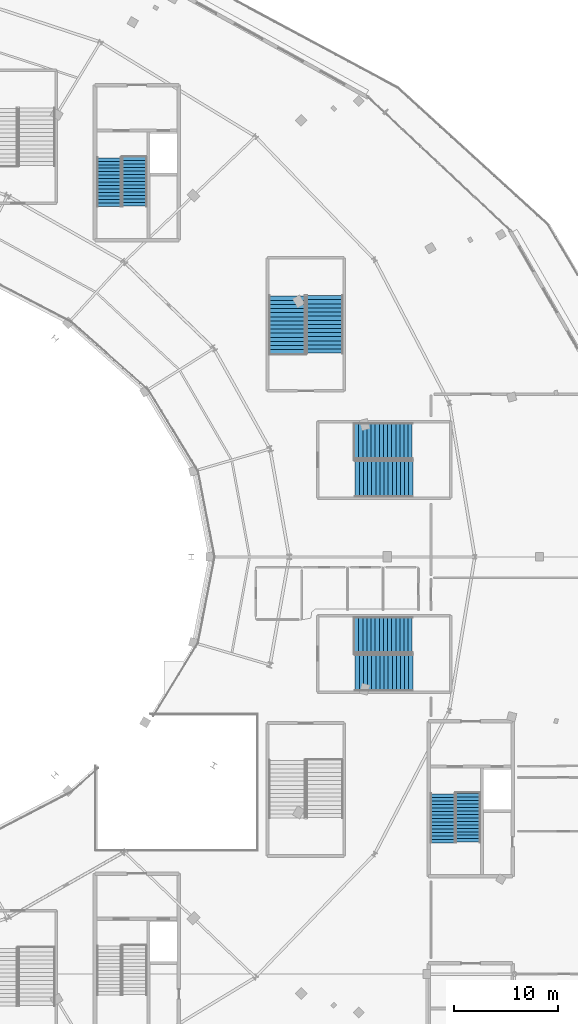
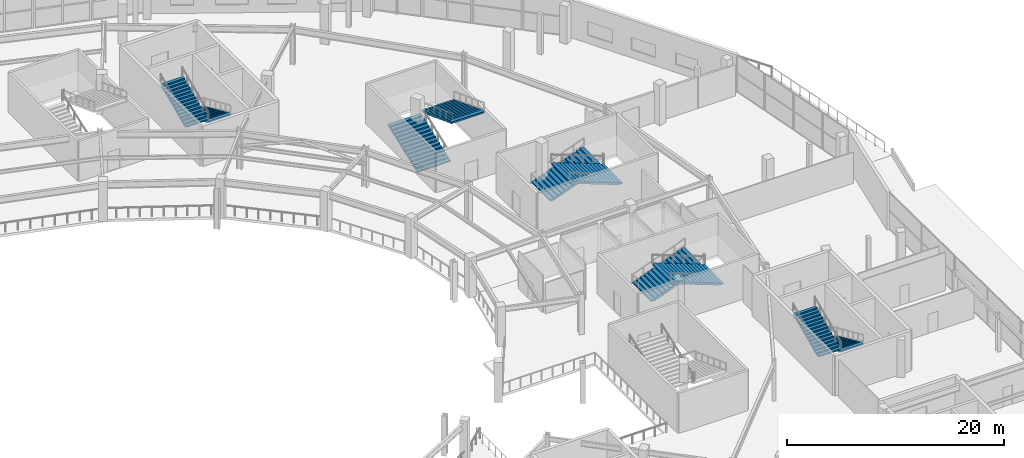
# One storey, part 85 of 107: 10 stair flights, 5 elements without a shape of their own.
"""IFC4 building model written with IfcOpenShell, lengths in metres."""

from ifc_helpers import new_model, si_unit, direction, frame, origin, place, context, subcontext, project, spatial, polyline, outline, extrude, material, type_object, element, aggregate, save


model = new_model("IFC4")

# Units and contexts
model_context = context("Model", 3, precision=1e-05, world=origin(), true_north=direction((0.0, 1.0)))
body_context = subcontext(model_context, "Body", "Model", "MODEL_VIEW")
ifc_project = project(units=[si_unit("LENGTHUNIT", "METRE"), si_unit("AREAUNIT", "SQUARE_METRE"), si_unit("VOLUMEUNIT", "CUBIC_METRE"), si_unit("PLANEANGLEUNIT", "RADIAN"), si_unit("MASSUNIT", "GRAM", prefix="KILO")], contexts=[model_context])

# Site, building, storey
site_placement = place(None, origin())
site = spatial("IfcSite", under=ifc_project, at=site_placement, CompositionType="ELEMENT")
building_placement = place(site_placement, origin())
building = spatial("IfcBuilding", under=site, at=building_placement, Name="Kalgoora Escarpment Arena", CompositionType="ELEMENT")
storey_placement = place(building_placement, frame((0.0, 0.0, 5.39990234375)))
storey = spatial("IfcBuildingStorey", under=building, at=storey_placement, Name="L01", CompositionType="ELEMENT", Elevation=5.39990234375)

# Stair, stair flights
ifc_material_1 = material(Name="Concrete N40 (fc' 40 MPa)", Category="concrete")
stair_type_1 = type_object("IfcStairType", Name="STR-EXIT-3", PredefinedType="HALF_TURN_STAIR", material=ifc_material_1)
stair_1_placement = place(storey_placement, origin())
stair_1 = element("IfcStair", 1, at=stair_1_placement, inside=storey, type_object=stair_type_1, Name="Fire-isolated exit stair ST07 (L01)", PredefinedType="HALF_TURN_STAIR")
ifc_material_2 = material(Name="Concrete N40 (fc' 40 MPa)", Category="concrete")
stair_flight_type_1 = type_object("IfcStairFlightType", Name="FLT-EXIT-3", PredefinedType="STRAIGHT", material=ifc_material_2)
stair_flight_1_placement = place(storey_placement, frame((163.554931640625, 41.330078125, 0.0), z_axis=(0.0, 0.0, 1.0), x_axis=(0.0, -1.0, 0.0)))
stair_flight_1 = element("IfcStairFlight", 2, at=stair_flight_1_placement, type_object=stair_flight_type_1, Name="ST07 L01 lower flight", NumberOfRisers=15, NumberOfTreads=14, PredefinedType="STRAIGHT", RiserHeight=0.15, TreadLength=0.335, context=body_context, shape_type="SweptSolid", body=[
    extrude(outline(polyline([(0.0, 0.0), (0.0, 0.14990234375), (0.3349609375, 0.14990234375), (0.3349609375, 0.300048828125), (0.669921875, 0.300048828125), (0.669921875, 0.449951171875), (1.0048828125, 0.449951171875), (1.0048828125, 0.60009765625), (1.340087890625, 0.60009765625), (1.340087890625, 0.75), (1.675048828125, 0.75), (1.675048828125, 0.89990234375), (2.010009765625, 0.89990234375), (2.010009765625, 1.050048828125), (2.344970703125, 1.050048828125), (2.344970703125, 1.199951171875), (2.679931640625, 1.199951171875), (2.679931640625, 1.35009765625), (3.014892578125, 1.35009765625), (3.014892578125, 1.5), (3.35009765625, 1.5), (3.35009765625, 1.64990234375), (3.68505859375, 1.64990234375), (3.68505859375, 1.800048828125), (4.02001953125, 1.800048828125), (4.02001953125, 1.949951171875), (4.35498046875, 1.949951171875), (4.35498046875, 2.10009765625), (4.68994140625, 2.10009765625), (4.68994140625, 2.25), (4.68994140625, 1.913818359375), (0.415771484375, 0.0), (0.0, 0.0)])), frame((0.0, 1.19482421875, 0.0), z_axis=(0.0, -1.0, 0.0), x_axis=(1.0, 0.0, 0.0)), (0.0, 0.0, 1.0), 2.389892578125),
])
stair_flight_2_placement = place(storey_placement, frame((161.14501953125, 36.580078125, 2.25), z_axis=(0.0, 0.0, 1.0), x_axis=(0.0, 1.0, 0.0)))
stair_flight_2 = element("IfcStairFlight", 3, at=stair_flight_2_placement, type_object=stair_flight_type_1, Name="ST07 L01 upper flight", NumberOfRisers=15, NumberOfTreads=14, PredefinedType="STRAIGHT", RiserHeight=0.15, TreadLength=0.335, context=body_context, shape_type="SweptSolid", body=[
    extrude(outline(polyline([(0.0, 0.0), (0.0, 0.14990234375), (0.3349609375, 0.14990234375), (0.3349609375, 0.300048828125), (0.669921875, 0.300048828125), (0.669921875, 0.449951171875), (1.0048828125, 0.449951171875), (1.0048828125, 0.60009765625), (1.340087890625, 0.60009765625), (1.340087890625, 0.75), (1.675048828125, 0.75), (1.675048828125, 0.89990234375), (2.010009765625, 0.89990234375), (2.010009765625, 1.050048828125), (2.344970703125, 1.050048828125), (2.344970703125, 1.199951171875), (2.679931640625, 1.199951171875), (2.679931640625, 1.35009765625), (3.014892578125, 1.35009765625), (3.014892578125, 1.5), (3.35009765625, 1.5), (3.35009765625, 1.64990234375), (3.68505859375, 1.64990234375), (3.68505859375, 1.800048828125), (4.02001953125, 1.800048828125), (4.02001953125, 1.949951171875), (4.35498046875, 1.949951171875), (4.35498046875, 2.10009765625), (4.68994140625, 2.10009765625), (4.68994140625, 2.25), (4.68994140625, 1.913818359375), (0.415771484375, 0.0), (0.0, 0.0)])), frame((0.0, 1.19482421875, 0.0), z_axis=(0.0, -1.0, 0.0), x_axis=(1.0, 0.0, 0.0)), (0.0, 0.0, 1.0), 2.389892578125),
])
aggregate(stair_1, [stair_flight_1, stair_flight_2])

ifc_material_3 = material(Name="Concrete N40 (fc' 40 MPa)", Category="concrete")
stair_type_2 = type_object("IfcStairType", Name="STR-EXIT-4", PredefinedType="HALF_TURN_STAIR", material=ifc_material_3)
stair_2_placement = place(storey_placement, origin())
stair_2 = element("IfcStair", 4, at=stair_2_placement, inside=storey, type_object=stair_type_2, Name="Fire-isolated exit stair ST04 (L01)", PredefinedType="HALF_TURN_STAIR")
ifc_material_4 = material(Name="Concrete N40 (fc' 40 MPa)", Category="concrete")
stair_flight_type_2 = type_object("IfcStairFlightType", Name="FLT-EXIT-4", PredefinedType="STRAIGHT", material=ifc_material_4)
stair_flight_3_placement = place(storey_placement, frame((131.552490234375, 102.330078125, 0.0), z_axis=(0.0, 0.0, 1.0), x_axis=(0.0, -1.0, 0.0)))
stair_flight_3 = element("IfcStairFlight", 5, at=stair_flight_3_placement, type_object=stair_flight_type_2, Name="ST04 L01 lower flight", NumberOfRisers=15, NumberOfTreads=14, PredefinedType="STRAIGHT", RiserHeight=0.15, TreadLength=0.335, context=body_context, shape_type="SweptSolid", body=[
    extrude(outline(polyline([(0.0, 0.0), (0.0, 0.14990234375), (0.3349609375, 0.14990234375), (0.3349609375, 0.300048828125), (0.669921875, 0.300048828125), (0.669921875, 0.449951171875), (1.0048828125, 0.449951171875), (1.0048828125, 0.60009765625), (1.340087890625, 0.60009765625), (1.340087890625, 0.75), (1.675048828125, 0.75), (1.675048828125, 0.89990234375), (2.010009765625, 0.89990234375), (2.010009765625, 1.050048828125), (2.344970703125, 1.050048828125), (2.344970703125, 1.199951171875), (2.679931640625, 1.199951171875), (2.679931640625, 1.35009765625), (3.014892578125, 1.35009765625), (3.014892578125, 1.5), (3.35009765625, 1.5), (3.35009765625, 1.64990234375), (3.68505859375, 1.64990234375), (3.68505859375, 1.800048828125), (4.02001953125, 1.800048828125), (4.02001953125, 1.949951171875), (4.35498046875, 1.949951171875), (4.35498046875, 2.10009765625), (4.68994140625, 2.10009765625), (4.68994140625, 2.25), (4.68994140625, 1.913818359375), (0.415771484375, 0.0), (0.0, 0.0)])), frame((0.0, 1.197509765625, 0.0), z_axis=(0.0, -1.0, 0.0), x_axis=(1.0, 0.0, 0.0)), (0.0, 0.0, 1.0), 2.39501953125),
])
stair_flight_4_placement = place(storey_placement, frame((129.1474609375, 97.580078125, 2.25), z_axis=(0.0, 0.0, 1.0), x_axis=(0.0, 1.0, 0.0)))
stair_flight_4 = element("IfcStairFlight", 6, at=stair_flight_4_placement, type_object=stair_flight_type_2, Name="ST04 L01 upper flight", NumberOfRisers=15, NumberOfTreads=14, PredefinedType="STRAIGHT", RiserHeight=0.15, TreadLength=0.335, context=body_context, shape_type="SweptSolid", body=[
    extrude(outline(polyline([(0.0, 0.0), (0.0, 0.14990234375), (0.3349609375, 0.14990234375), (0.3349609375, 0.300048828125), (0.669921875, 0.300048828125), (0.669921875, 0.449951171875), (1.0048828125, 0.449951171875), (1.0048828125, 0.60009765625), (1.340087890625, 0.60009765625), (1.340087890625, 0.75), (1.675048828125, 0.75), (1.675048828125, 0.89990234375), (2.010009765625, 0.89990234375), (2.010009765625, 1.050048828125), (2.344970703125, 1.050048828125), (2.344970703125, 1.199951171875), (2.679931640625, 1.199951171875), (2.679931640625, 1.35009765625), (3.014892578125, 1.35009765625), (3.014892578125, 1.5), (3.35009765625, 1.5), (3.35009765625, 1.64990234375), (3.68505859375, 1.64990234375), (3.68505859375, 1.800048828125), (4.02001953125, 1.800048828125), (4.02001953125, 1.949951171875), (4.35498046875, 1.949951171875), (4.35498046875, 2.10009765625), (4.68994140625, 2.10009765625), (4.68994140625, 2.25), (4.68994140625, 1.913818359375), (0.415771484375, 0.0), (0.0, 0.0)])), frame((0.0, 1.197509765625, 0.0), z_axis=(0.0, -1.0, 0.0), x_axis=(1.0, 0.0, 0.0)), (0.0, 0.0, 1.0), 2.39501953125),
])
aggregate(stair_2, [stair_flight_3, stair_flight_4])

ifc_material_5 = material(Name="Precast concrete N50 (fc' 50 MPa)", Category="concrete")
stair_type_3 = type_object("IfcStairType", Name="STR-STAD-1", PredefinedType="HALF_TURN_STAIR", material=ifc_material_5)
stair_3_placement = place(storey_placement, origin())
stair_3 = element("IfcStair", 7, at=stair_3_placement, inside=storey, type_object=stair_type_3, Name="Fire-isolated exit stair ST21 (L01)", PredefinedType="HALF_TURN_STAIR")
ifc_material_6 = material(Name="Precast concrete N50 (fc' 50 MPa)", Category="concrete")
stair_flight_type_3 = type_object("IfcStairFlightType", Name="FLT-STAD-1", PredefinedType="STRAIGHT", material=ifc_material_6)
stair_flight_5_placement = place(storey_placement, frame((152.669921875, 75.107421875, 0.0), z_axis=(0.0, 0.0, 1.0), x_axis=(1.0, 0.0, 0.0)))
stair_flight_5 = element("IfcStairFlight", 8, at=stair_flight_5_placement, type_object=stair_flight_type_3, Name="ST21 L01 lower flight", NumberOfRisers=15, NumberOfTreads=14, PredefinedType="STRAIGHT", RiserHeight=0.15, TreadLength=0.395, context=body_context, shape_type="SweptSolid", body=[
    extrude(outline(polyline([(0.0, 0.0), (0.0, 0.14990234375), (0.39501953125, 0.14990234375), (0.39501953125, 0.300048828125), (0.7900390625, 0.300048828125), (0.7900390625, 0.449951171875), (1.18505859375, 0.449951171875), (1.18505859375, 0.60009765625), (1.580078125, 0.60009765625), (1.580078125, 0.75), (1.97509765625, 0.75), (1.97509765625, 0.89990234375), (2.3701171875, 0.89990234375), (2.3701171875, 1.050048828125), (2.764892578125, 1.050048828125), (2.764892578125, 1.199951171875), (3.159912109375, 1.199951171875), (3.159912109375, 1.35009765625), (3.554931640625, 1.35009765625), (3.554931640625, 1.5), (3.949951171875, 1.5), (3.949951171875, 1.64990234375), (4.344970703125, 1.64990234375), (4.344970703125, 1.800048828125), (4.739990234375, 1.800048828125), (4.739990234375, 1.949951171875), (5.135009765625, 1.949951171875), (5.135009765625, 2.10009765625), (5.530029296875, 2.10009765625), (5.530029296875, 2.25), (5.530029296875, 1.918212890625), (0.478759765625, 0.0), (0.0, 0.0)])), frame((0.0, 1.74267578125, 0.0), z_axis=(0.0, -1.0, 0.0), x_axis=(1.0, 0.0, 0.0)), (0.0, 0.0, 1.0), 3.485107421875),
])
stair_flight_6_placement = place(storey_placement, frame((158.260009765625, 71.492431640625, 2.25), z_axis=(0.0, 0.0, 1.0), x_axis=(-1.0, 0.0, 0.0)))
stair_flight_6 = element("IfcStairFlight", 9, at=stair_flight_6_placement, type_object=stair_flight_type_3, Name="ST21 L01 upper flight", NumberOfRisers=15, NumberOfTreads=14, PredefinedType="STRAIGHT", RiserHeight=0.15, TreadLength=0.395, context=body_context, shape_type="SweptSolid", body=[
    extrude(outline(polyline([(0.0, 0.0), (0.0, 0.14990234375), (0.39501953125, 0.14990234375), (0.39501953125, 0.300048828125), (0.7900390625, 0.300048828125), (0.7900390625, 0.449951171875), (1.18505859375, 0.449951171875), (1.18505859375, 0.60009765625), (1.580078125, 0.60009765625), (1.580078125, 0.75), (1.97509765625, 0.75), (1.97509765625, 0.89990234375), (2.3701171875, 0.89990234375), (2.3701171875, 1.050048828125), (2.764892578125, 1.050048828125), (2.764892578125, 1.199951171875), (3.159912109375, 1.199951171875), (3.159912109375, 1.35009765625), (3.554931640625, 1.35009765625), (3.554931640625, 1.5), (3.949951171875, 1.5), (3.949951171875, 1.64990234375), (4.344970703125, 1.64990234375), (4.344970703125, 1.800048828125), (4.739990234375, 1.800048828125), (4.739990234375, 1.949951171875), (5.135009765625, 1.949951171875), (5.135009765625, 2.10009765625), (5.530029296875, 2.10009765625), (5.530029296875, 2.25), (5.530029296875, 1.918212890625), (0.478759765625, 0.0), (0.0, 0.0)])), frame((0.0, 1.74267578125, 0.0), z_axis=(0.0, -1.0, 0.0), x_axis=(1.0, 0.0, 0.0)), (0.0, 0.0, 1.0), 3.485107421875),
])
aggregate(stair_3, [stair_flight_5, stair_flight_6])

ifc_material_7 = material(Name="Precast concrete N50 (fc' 50 MPa)", Category="concrete")
stair_type_4 = type_object("IfcStairType", Name="STR-STAD-2", PredefinedType="HALF_TURN_STAIR", material=ifc_material_7)
stair_4_placement = place(storey_placement, origin())
stair_4 = element("IfcStair", 10, at=stair_4_placement, inside=storey, type_object=stair_type_4, Name="Fire-isolated exit stair ST22 (L01)", PredefinedType="HALF_TURN_STAIR")
ifc_material_8 = material(Name="Precast concrete N50 (fc' 50 MPa)", Category="concrete")
stair_flight_type_4 = type_object("IfcStairFlightType", Name="FLT-STAD-2", PredefinedType="STRAIGHT", material=ifc_material_8)
stair_flight_7_placement = place(storey_placement, frame((152.669921875, 56.5048828125, 0.0), z_axis=(0.0, 0.0, 1.0), x_axis=(1.0, 0.0, 0.0)))
stair_flight_7 = element("IfcStairFlight", 11, at=stair_flight_7_placement, type_object=stair_flight_type_4, Name="ST22 L01 lower flight", NumberOfRisers=15, NumberOfTreads=14, PredefinedType="STRAIGHT", RiserHeight=0.15, TreadLength=0.395, context=body_context, shape_type="SweptSolid", body=[
    extrude(outline(polyline([(0.0, 0.0), (0.0, 0.14990234375), (0.39501953125, 0.14990234375), (0.39501953125, 0.300048828125), (0.7900390625, 0.300048828125), (0.7900390625, 0.449951171875), (1.18505859375, 0.449951171875), (1.18505859375, 0.60009765625), (1.580078125, 0.60009765625), (1.580078125, 0.75), (1.97509765625, 0.75), (1.97509765625, 0.89990234375), (2.3701171875, 0.89990234375), (2.3701171875, 1.050048828125), (2.764892578125, 1.050048828125), (2.764892578125, 1.199951171875), (3.159912109375, 1.199951171875), (3.159912109375, 1.35009765625), (3.554931640625, 1.35009765625), (3.554931640625, 1.5), (3.949951171875, 1.5), (3.949951171875, 1.64990234375), (4.344970703125, 1.64990234375), (4.344970703125, 1.800048828125), (4.739990234375, 1.800048828125), (4.739990234375, 1.949951171875), (5.135009765625, 1.949951171875), (5.135009765625, 2.10009765625), (5.530029296875, 2.10009765625), (5.530029296875, 2.25), (5.530029296875, 1.918212890625), (0.478759765625, 0.0), (0.0, 0.0)])), frame((0.0, 1.7451171875, 0.0), z_axis=(0.0, -1.0, 0.0), x_axis=(1.0, 0.0, 0.0)), (0.0, 0.0, 1.0), 3.489990234375),
])
stair_flight_8_placement = place(storey_placement, frame((158.260009765625, 52.89501953125, 2.25), z_axis=(0.0, 0.0, 1.0), x_axis=(-1.0, 0.0, 0.0)))
stair_flight_8 = element("IfcStairFlight", 12, at=stair_flight_8_placement, type_object=stair_flight_type_4, Name="ST22 L01 upper flight", NumberOfRisers=15, NumberOfTreads=14, PredefinedType="STRAIGHT", RiserHeight=0.15, TreadLength=0.395, context=body_context, shape_type="SweptSolid", body=[
    extrude(outline(polyline([(0.0, 0.0), (0.0, 0.14990234375), (0.39501953125, 0.14990234375), (0.39501953125, 0.300048828125), (0.7900390625, 0.300048828125), (0.7900390625, 0.449951171875), (1.18505859375, 0.449951171875), (1.18505859375, 0.60009765625), (1.580078125, 0.60009765625), (1.580078125, 0.75), (1.97509765625, 0.75), (1.97509765625, 0.89990234375), (2.3701171875, 0.89990234375), (2.3701171875, 1.050048828125), (2.764892578125, 1.050048828125), (2.764892578125, 1.199951171875), (3.159912109375, 1.199951171875), (3.159912109375, 1.35009765625), (3.554931640625, 1.35009765625), (3.554931640625, 1.5), (3.949951171875, 1.5), (3.949951171875, 1.64990234375), (4.344970703125, 1.64990234375), (4.344970703125, 1.800048828125), (4.739990234375, 1.800048828125), (4.739990234375, 1.949951171875), (5.135009765625, 1.949951171875), (5.135009765625, 2.10009765625), (5.530029296875, 2.10009765625), (5.530029296875, 2.25), (5.530029296875, 1.918212890625), (0.478759765625, 0.0), (0.0, 0.0)])), frame((0.0, 1.7451171875, 0.0), z_axis=(0.0, -1.0, 0.0), x_axis=(1.0, 0.0, 0.0)), (0.0, 0.0, 1.0), 3.489990234375),
])
aggregate(stair_4, [stair_flight_7, stair_flight_8])

ifc_material_9 = material(Name="Precast concrete N50 (fc' 50 MPa)", Category="concrete")
stair_type_5 = type_object("IfcStairType", Name="STR-STAD-3", PredefinedType="HALF_TURN_STAIR", material=ifc_material_9)
stair_5_placement = place(storey_placement, origin())
stair_5 = element("IfcStair", 13, at=stair_5_placement, inside=storey, type_object=stair_type_5, Name="Fire-isolated exit stair ST23 (L01)", PredefinedType="HALF_TURN_STAIR")
ifc_material_10 = material(Name="Precast concrete N50 (fc' 50 MPa)", Category="concrete")
stair_flight_type_5 = type_object("IfcStairFlightType", Name="FLT-STAD-3", PredefinedType="STRAIGHT", material=ifc_material_10)
stair_flight_9_placement = place(storey_placement, frame((146.197509765625, 83.469970703125, 0.0), z_axis=(0.0, 0.0, 1.0), x_axis=(0.0, 1.0, 0.0)))
stair_flight_9 = element("IfcStairFlight", 14, at=stair_flight_9_placement, type_object=stair_flight_type_5, Name="ST23 L01 lower flight", NumberOfRisers=15, NumberOfTreads=14, PredefinedType="STRAIGHT", RiserHeight=0.15, TreadLength=0.395, context=body_context, shape_type="SweptSolid", body=[
    extrude(outline(polyline([(0.0, 0.0), (0.0, 0.14990234375), (0.39501953125, 0.14990234375), (0.39501953125, 0.300048828125), (0.7900390625, 0.300048828125), (0.7900390625, 0.449951171875), (1.18505859375, 0.449951171875), (1.18505859375, 0.60009765625), (1.580078125, 0.60009765625), (1.580078125, 0.75), (1.97509765625, 0.75), (1.97509765625, 0.89990234375), (2.3701171875, 0.89990234375), (2.3701171875, 1.050048828125), (2.764892578125, 1.050048828125), (2.764892578125, 1.199951171875), (3.159912109375, 1.199951171875), (3.159912109375, 1.35009765625), (3.554931640625, 1.35009765625), (3.554931640625, 1.5), (3.949951171875, 1.5), (3.949951171875, 1.64990234375), (4.344970703125, 1.64990234375), (4.344970703125, 1.800048828125), (4.739990234375, 1.800048828125), (4.739990234375, 1.949951171875), (5.135009765625, 1.949951171875), (5.135009765625, 2.10009765625), (5.530029296875, 2.10009765625), (5.530029296875, 2.25), (5.530029296875, 1.918212890625), (0.478759765625, 0.0), (0.0, 0.0)])), frame((0.0, 1.74755859375, 0.0), z_axis=(0.0, -1.0, 0.0), x_axis=(1.0, 0.0, 0.0)), (0.0, 0.0, 1.0), 3.4951171875),
])
stair_flight_10_placement = place(storey_placement, frame((149.802490234375, 89.06005859375, 2.25), z_axis=(0.0, 0.0, 1.0), x_axis=(0.0, -1.0, 0.0)))
stair_flight_10 = element("IfcStairFlight", 15, at=stair_flight_10_placement, type_object=stair_flight_type_5, Name="ST23 L01 upper flight", NumberOfRisers=15, NumberOfTreads=14, PredefinedType="STRAIGHT", RiserHeight=0.15, TreadLength=0.395, context=body_context, shape_type="SweptSolid", body=[
    extrude(outline(polyline([(0.0, 0.0), (0.0, 0.14990234375), (0.39501953125, 0.14990234375), (0.39501953125, 0.300048828125), (0.7900390625, 0.300048828125), (0.7900390625, 0.449951171875), (1.18505859375, 0.449951171875), (1.18505859375, 0.60009765625), (1.580078125, 0.60009765625), (1.580078125, 0.75), (1.97509765625, 0.75), (1.97509765625, 0.89990234375), (2.3701171875, 0.89990234375), (2.3701171875, 1.050048828125), (2.764892578125, 1.050048828125), (2.764892578125, 1.199951171875), (3.159912109375, 1.199951171875), (3.159912109375, 1.35009765625), (3.554931640625, 1.35009765625), (3.554931640625, 1.5), (3.949951171875, 1.5), (3.949951171875, 1.64990234375), (4.344970703125, 1.64990234375), (4.344970703125, 1.800048828125), (4.739990234375, 1.800048828125), (4.739990234375, 1.949951171875), (5.135009765625, 1.949951171875), (5.135009765625, 2.10009765625), (5.530029296875, 2.10009765625), (5.530029296875, 2.25), (5.530029296875, 1.918212890625), (0.478759765625, 0.0), (0.0, 0.0)])), frame((0.0, 1.74755859375, 0.0), z_axis=(0.0, -1.0, 0.0), x_axis=(1.0, 0.0, 0.0)), (0.0, 0.0, 1.0), 3.4951171875),
])
aggregate(stair_5, [stair_flight_9, stair_flight_10])

save(model, "model.ifc")
